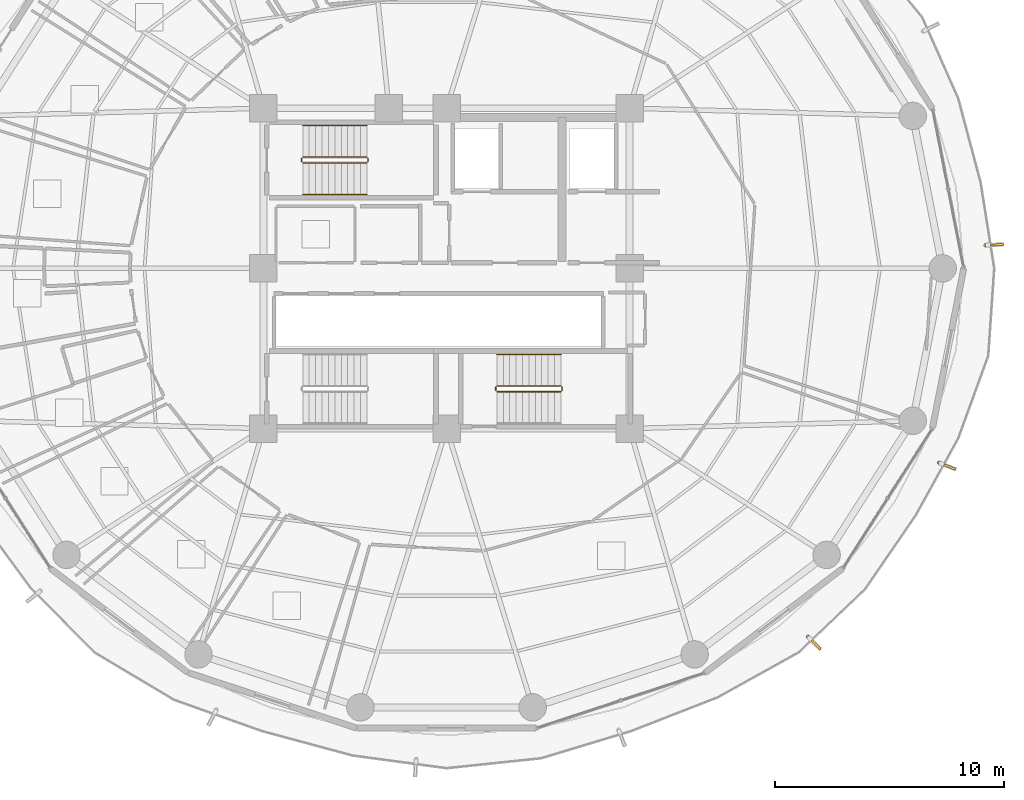
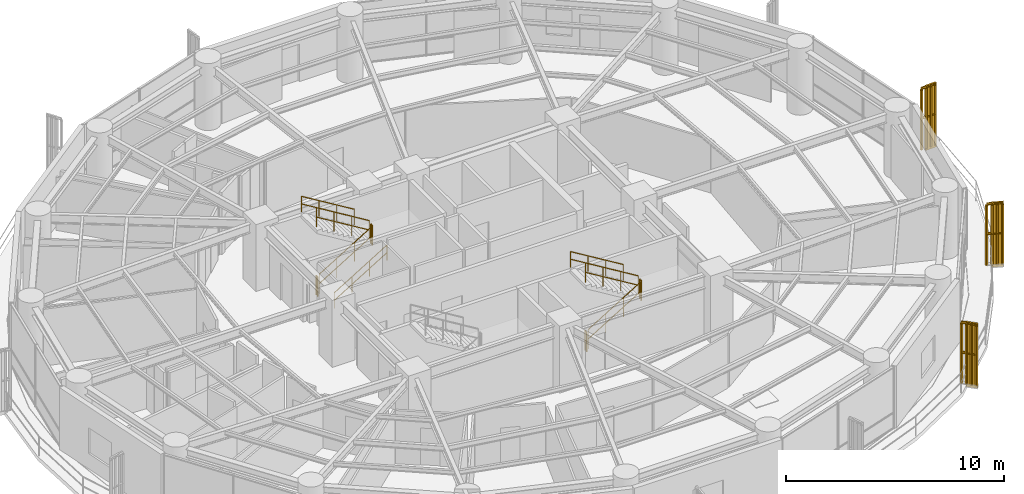
# One storey, part 27 of 28: 14 railings, 3 shading devices.
"""IFC4 building model written with IfcOpenShell, lengths in metres."""

from ifc_helpers import new_model, si_unit, direction, frame, origin, origin_2d, place, context, subcontext, project, spatial, polyline, rectangle, outline, extrude, source, transform, mapped, material, type_object, element, save


model = new_model("IFC4")

# Units and contexts
model_context = context("Model", 3, precision=1e-05, world=origin(), true_north=direction((0.0, 1.0)))
body_context = subcontext(model_context, "Body", "Model", "MODEL_VIEW")
ifc_project = project(units=[si_unit("LENGTHUNIT", "METRE"), si_unit("AREAUNIT", "SQUARE_METRE"), si_unit("VOLUMEUNIT", "CUBIC_METRE"), si_unit("PLANEANGLEUNIT", "RADIAN"), si_unit("MASSUNIT", "GRAM", prefix="KILO")], contexts=[model_context])

# Site, building, storey
site_placement = place(None, origin())
site = spatial("IfcSite", under=ifc_project, at=site_placement, CompositionType="ELEMENT")
building_placement = place(site_placement, origin())
building = spatial("IfcBuilding", under=site, at=building_placement, Name="Kelanora Arch Commons", CompositionType="ELEMENT")
storey_placement = place(building_placement, frame((0.0, 0.0, 180.60009765625)))
storey = spatial("IfcBuildingStorey", under=building, at=storey_placement, Name="L46", CompositionType="ELEMENT", Elevation=180.60009765625)

# Railings
ifc_material_1 = material(Name="Anodised bronze vertical shading fin rib assembly")
railing_type_1 = type_object("IfcRailingType", Name="RAIL-FIN-BRZ", PredefinedType="BALUSTRADE", material=ifc_material_1)
railing_1_placement = place(storey_placement, frame((95.51904296875, 49.505126953125, -0.02001953125)))
element("IfcRailing", 1, at=railing_1_placement, inside=storey, type_object=railing_type_1, Name="Sweeping Bronze Vertical Fin Blade L46-00", PredefinedType="BALUSTRADE", context=body_context, shape_type="SweptSolid", body=[
    extrude(outline(polyline([(0.06982421875, 0.0), (0.034912109375, 0.060546875), (-0.034912109375, 0.060546875), (-0.06982421875, 0.0), (-0.034912109375, -0.060546875), (0.034912109375, -0.060546875), (0.06982421875, 0.0)])), frame((0.0, 0.0, 3.419921875), z_axis=(0.930215181895, -0.367014598309, 0.0), x_axis=(0.367014598309, 0.930215181895, 0.0)), (0.0, 0.0, 1.0), 0.731689453125),
    extrude(outline(polyline([(0.06982421875, 0.0), (0.034912109375, 0.060546875), (-0.034912109375, 0.060546875), (-0.06982421875, 0.0), (-0.034912109375, -0.060546875), (0.034912109375, -0.060546875), (0.06982421875, 0.0)])), frame((0.0, 0.0, 1.7451171875), z_axis=(0.930215181895, -0.367014598309, 0.0), x_axis=(0.367014598309, 0.930215181895, 0.0)), (0.0, 0.0, 1.0), 0.731689453125),
    extrude(outline(polyline([(0.080078125, 0.0), (0.0400390625, 0.0693359375), (-0.0400390625, 0.0693359375), (-0.080078125, 0.0), (-0.0400390625, -0.0693359375), (0.0400390625, -0.0693359375), (0.080078125, 0.0)])), origin(), (0.0, 0.0, 1.0), 3.35009765625),
    extrude(outline(polyline([(0.080078125, 0.0), (0.0400390625, 0.0693359375), (-0.0400390625, 0.0693359375), (-0.080078125, 0.0), (-0.0400390625, -0.0693359375), (0.0400390625, -0.0693359375), (0.080078125, 0.0)])), frame((0.226806640625, -0.089599609375, 0.0)), (0.0, 0.0, 1.0), 3.35009765625),
    extrude(outline(polyline([(0.080078125, 0.0), (0.0400390625, 0.0693359375), (-0.0400390625, 0.0693359375), (-0.080078125, 0.0), (-0.0400390625, -0.0693359375), (0.0400390625, -0.0693359375), (0.080078125, 0.0)])), frame((0.453857421875, -0.178955078125, 0.0)), (0.0, 0.0, 1.0), 3.35009765625),
    extrude(outline(polyline([(0.080078125, 0.0), (0.0400390625, 0.0693359375), (-0.0400390625, 0.0693359375), (-0.080078125, 0.0), (-0.0400390625, -0.0693359375), (0.0400390625, -0.0693359375), (0.080078125, 0.0)])), frame((0.6806640625, -0.2685546875, 0.0)), (0.0, 0.0, 1.0), 3.35009765625),
])
railing_2_placement = place(storey_placement, frame((97.549072265625, 59.010986328125, -0.02001953125)))
element("IfcRailing", 2, at=railing_2_placement, inside=storey, type_object=railing_type_1, Name="Sweeping Bronze Vertical Fin Blade L46-01", PredefinedType="BALUSTRADE", context=body_context, shape_type="SweptSolid", body=[
    extrude(outline(polyline([(0.06982421875, 0.0), (0.034912109375, 0.060546875), (-0.034912109375, 0.060546875), (-0.06982421875, 0.0), (-0.034912109375, -0.060546875), (0.034912109375, -0.060546875), (0.06982421875, 0.0)])), frame((0.0, 0.0, 3.419921875), z_axis=(0.999087985277, 0.042698918903, 0.0), x_axis=(-0.042698918903, 0.999087985277, 0.0)), (0.0, 0.0, 1.0), 0.73193359375),
    extrude(outline(polyline([(0.06982421875, 0.0), (0.034912109375, 0.060546875), (-0.034912109375, 0.060546875), (-0.06982421875, 0.0), (-0.034912109375, -0.060546875), (0.034912109375, -0.060546875), (0.06982421875, 0.0)])), frame((0.0, 0.0, 1.7451171875), z_axis=(0.999087985277, 0.042698918903, 0.0), x_axis=(-0.042698918903, 0.999087985277, 0.0)), (0.0, 0.0, 1.0), 0.73193359375),
    extrude(outline(polyline([(0.080078125, 0.0), (0.0400390625, 0.0693359375), (-0.0400390625, 0.0693359375), (-0.080078125, 0.0), (-0.0400390625, -0.0693359375), (0.0400390625, -0.0693359375), (0.080078125, 0.0)])), origin(), (0.0, 0.0, 1.0), 3.35009765625),
    extrude(outline(polyline([(0.080078125, 0.0), (0.0400390625, 0.0693359375), (-0.0400390625, 0.0693359375), (-0.080078125, 0.0), (-0.0400390625, -0.0693359375), (0.0400390625, -0.0693359375), (0.080078125, 0.0)])), frame((0.24365234375, 0.010498046875, 0.0)), (0.0, 0.0, 1.0), 3.35009765625),
    extrude(outline(polyline([(0.080078125, 0.0), (0.0400390625, 0.0693359375), (-0.0400390625, 0.0693359375), (-0.080078125, 0.0), (-0.0400390625, -0.0693359375), (0.0400390625, -0.0693359375), (0.080078125, 0.0)])), frame((0.487548828125, 0.020751953125, 0.0)), (0.0, 0.0, 1.0), 3.35009765625),
    extrude(outline(polyline([(0.080078125, 0.0), (0.0400390625, 0.0693359375), (-0.0400390625, 0.0693359375), (-0.080078125, 0.0), (-0.0400390625, -0.0693359375), (0.0400390625, -0.0693359375), (0.080078125, 0.0)])), frame((0.731201171875, 0.03125, 0.0)), (0.0, 0.0, 1.0), 3.35009765625),
])
railing_3_placement = place(storey_placement, frame((89.791015625, 41.907470703125, -0.02001953125)))
element("IfcRailing", 3, at=railing_3_placement, inside=storey, type_object=railing_type_1, Name="Sweeping Bronze Vertical Fin Blade L46-14", PredefinedType="BALUSTRADE", context=body_context, shape_type="SweptSolid", body=[
    extrude(outline(polyline([(0.06982421875, 0.0), (0.034912109375, 0.060546875), (-0.034912109375, 0.060546875), (-0.06982421875, 0.0), (-0.034912109375, -0.060546875), (0.034912109375, -0.060546875), (0.06982421875, 0.0)])), frame((0.0, 0.0, 3.419921875), z_axis=(0.700234826511, -0.713912591107, 0.0), x_axis=(0.713912591107, 0.700234826511, 0.0)), (0.0, 0.0, 1.0), 0.73193359375),
    extrude(outline(polyline([(0.06982421875, 0.0), (0.034912109375, 0.060546875), (-0.034912109375, 0.060546875), (-0.06982421875, 0.0), (-0.034912109375, -0.060546875), (0.034912109375, -0.060546875), (0.06982421875, 0.0)])), frame((0.0, 0.0, 1.7451171875), z_axis=(0.700234826511, -0.713912591107, 0.0), x_axis=(0.713912591107, 0.700234826511, 0.0)), (0.0, 0.0, 1.0), 0.73193359375),
    extrude(outline(polyline([(0.080078125, 0.0), (0.0400390625, 0.0693359375), (-0.0400390625, 0.0693359375), (-0.080078125, 0.0), (-0.0400390625, -0.0693359375), (0.0400390625, -0.0693359375), (0.080078125, 0.0)])), origin(), (0.0, 0.0, 1.0), 3.35009765625),
    extrude(outline(polyline([(0.080078125, 0.0), (0.0400390625, 0.0693359375), (-0.0400390625, 0.0693359375), (-0.080078125, 0.0), (-0.0400390625, -0.0693359375), (0.0400390625, -0.0693359375), (0.080078125, 0.0)])), frame((0.1708984375, -0.174072265625, 0.0)), (0.0, 0.0, 1.0), 3.35009765625),
    extrude(outline(polyline([(0.080078125, 0.0), (0.0400390625, 0.0693359375), (-0.0400390625, 0.0693359375), (-0.080078125, 0.0), (-0.0400390625, -0.0693359375), (0.0400390625, -0.0693359375), (0.080078125, 0.0)])), frame((0.341552734375, -0.348388671875, 0.0)), (0.0, 0.0, 1.0), 3.35009765625),
    extrude(outline(polyline([(0.080078125, 0.0), (0.0400390625, 0.0693359375), (-0.0400390625, 0.0693359375), (-0.080078125, 0.0), (-0.0400390625, -0.0693359375), (0.0400390625, -0.0693359375), (0.080078125, 0.0)])), frame((0.512451171875, -0.5224609375, 0.0)), (0.0, 0.0, 1.0), 3.35009765625),
])
ifc_material_2 = material(Name="Painted steel stair well guard", Category="steel")
railing_type_2 = type_object("IfcRailingType", Name="RAIL-STAIR-GRD", PredefinedType="GUARDRAIL", material=ifc_material_2)
railing_4_placement = place(storey_placement, frame((67.719970703125, 62.610107421875, 0.17041015625)))
element("IfcRailing", 4, at=railing_4_placement, inside=storey, type_object=railing_type_2, Name="L46 ST-T1 stair guard 1", PredefinedType="GUARDRAIL", context=body_context, shape_type="SweptSolid", body=[
    extrude(outline(polyline([(0.02392578125, 0.0), (0.011962890625, 0.020751953125), (-0.011962890625, 0.020751953125), (-0.02392578125, 0.0), (-0.011962890625, -0.020751953125), (0.011962890625, -0.020751953125), (0.02392578125, 0.0)])), frame((0.0, 0.0, 1.076171875), z_axis=(0.854169791009, 0.0, 0.51999420009), x_axis=(0.0, 1.0, 0.0)), (0.0, 0.0, 1.0), 3.278076171875),
    extrude(outline(polyline([(0.02392578125, 0.0), (0.011962890625, 0.020751953125), (-0.011962890625, 0.020751953125), (-0.02392578125, 0.0), (-0.011962890625, -0.020751953125), (0.011962890625, -0.020751953125), (0.02392578125, 0.0)])), frame((0.0, 0.0, 0.550048828125), z_axis=(0.854169791009, 0.0, 0.51999420009), x_axis=(0.0, 1.0, 0.0)), (0.0, 0.0, 1.0), 3.278076171875),
    extrude(outline(polyline([(0.02099609375, 0.0), (0.010498046875, 0.01806640625), (-0.010498046875, 0.01806640625), (-0.02099609375, 0.0), (-0.010498046875, -0.01806640625), (0.010498046875, -0.01806640625), (0.02099609375, 0.0)])), origin(), (0.0, 0.0, 1.0), 1.052001953125),
    extrude(outline(polyline([(0.02099609375, 0.0), (0.010498046875, 0.01806640625), (-0.010498046875, 0.01806640625), (-0.02099609375, 0.0), (-0.010498046875, -0.01806640625), (0.010498046875, -0.01806640625), (0.02099609375, 0.0)])), frame((0.933349609375, 0.0, 0.568115234375)), (0.0, 0.0, 1.0), 1.052001953125),
    extrude(outline(polyline([(0.02099609375, 0.0), (0.010498046875, 0.01806640625), (-0.010498046875, 0.01806640625), (-0.02099609375, 0.0), (-0.010498046875, -0.01806640625), (0.010498046875, -0.01806640625), (0.02099609375, 0.0)])), frame((1.86669921875, 0.0, 1.136474609375)), (0.0, 0.0, 1.0), 1.052001953125),
    extrude(outline(polyline([(0.02099609375, 0.0), (0.010498046875, 0.01806640625), (-0.010498046875, 0.01806640625), (-0.02099609375, 0.0), (-0.010498046875, -0.01806640625), (0.010498046875, -0.01806640625), (0.02099609375, 0.0)])), frame((2.800048828125, 0.0, 1.70458984375)), (0.0, 0.0, 1.0), 1.052001953125),
])
railing_5_placement = place(storey_placement, frame((70.570068359375, 62.659912109375, 1.875)))
element("IfcRailing", 5, at=railing_5_placement, inside=storey, type_object=railing_type_2, Name="L46 ST-T1 stair guard 2", PredefinedType="GUARDRAIL", context=body_context, shape_type="SweptSolid", body=[
    extrude(outline(polyline([(0.02392578125, 0.0), (0.011962890625, 0.020751953125), (-0.011962890625, 0.020751953125), (-0.02392578125, 0.0), (-0.011962890625, -0.020751953125), (0.011962890625, -0.020751953125), (0.02392578125, 0.0)])), frame((0.0, 0.0, 1.076171875), z_axis=(0.0, 1.0, 0.0), x_axis=(-1.0, 0.0, 0.0)), (0.0, 0.0, 1.0), 0.150146484375),
    extrude(outline(polyline([(0.02392578125, 0.0), (0.011962890625, 0.020751953125), (-0.011962890625, 0.020751953125), (-0.02392578125, 0.0), (-0.011962890625, -0.020751953125), (0.011962890625, -0.020751953125), (0.02392578125, 0.0)])), frame((0.0, 0.0, 0.550048828125), z_axis=(0.0, 1.0, 0.0), x_axis=(-1.0, 0.0, 0.0)), (0.0, 0.0, 1.0), 0.150146484375),
    extrude(outline(polyline([(0.02099609375, 0.0), (0.010498046875, 0.01806640625), (-0.010498046875, 0.01806640625), (-0.02099609375, 0.0), (-0.010498046875, -0.01806640625), (0.010498046875, -0.01806640625), (0.02099609375, 0.0)])), origin(), (0.0, 0.0, 1.0), 1.052001953125),
    extrude(outline(polyline([(0.02099609375, 0.0), (0.010498046875, 0.01806640625), (-0.010498046875, 0.01806640625), (-0.02099609375, 0.0), (-0.010498046875, -0.01806640625), (0.010498046875, -0.01806640625), (0.02099609375, 0.0)])), frame((0.0, 0.150146484375, 0.0)), (0.0, 0.0, 1.0), 1.052001953125),
])
railing_6_placement = place(storey_placement, frame((70.52001953125, 62.860107421875, 2.04541015625)))
element("IfcRailing", 6, at=railing_6_placement, inside=storey, type_object=railing_type_2, Name="L46 ST-T1 stair guard 3", PredefinedType="GUARDRAIL", context=body_context, shape_type="SweptSolid", body=[
    extrude(outline(polyline([(0.02392578125, 0.0), (0.011962890625, 0.020751953125), (-0.011962890625, 0.020751953125), (-0.02392578125, 0.0), (-0.011962890625, -0.020751953125), (0.011962890625, -0.020751953125), (0.02392578125, 0.0)])), frame((0.0, 0.0, 1.076171875), z_axis=(-0.854169791009, 0.0, 0.51999420009), x_axis=(0.0, -1.0, 0.0)), (0.0, 0.0, 1.0), 3.278076171875),
    extrude(outline(polyline([(0.02392578125, 0.0), (0.011962890625, 0.020751953125), (-0.011962890625, 0.020751953125), (-0.02392578125, 0.0), (-0.011962890625, -0.020751953125), (0.011962890625, -0.020751953125), (0.02392578125, 0.0)])), frame((0.0, 0.0, 0.550048828125), z_axis=(-0.854169791009, 0.0, 0.51999420009), x_axis=(0.0, -1.0, 0.0)), (0.0, 0.0, 1.0), 3.278076171875),
    extrude(outline(polyline([(0.02099609375, 0.0), (0.010498046875, 0.01806640625), (-0.010498046875, 0.01806640625), (-0.02099609375, 0.0), (-0.010498046875, -0.01806640625), (0.010498046875, -0.01806640625), (0.02099609375, 0.0)])), origin(), (0.0, 0.0, 1.0), 1.052001953125),
    extrude(outline(polyline([(0.02099609375, 0.0), (0.010498046875, 0.01806640625), (-0.010498046875, 0.01806640625), (-0.02099609375, 0.0), (-0.010498046875, -0.01806640625), (0.010498046875, -0.01806640625), (0.02099609375, 0.0)])), frame((-0.933349609375, 0.0, 0.568115234375)), (0.0, 0.0, 1.0), 1.052001953125),
    extrude(outline(polyline([(0.02099609375, 0.0), (0.010498046875, 0.01806640625), (-0.010498046875, 0.01806640625), (-0.02099609375, 0.0), (-0.010498046875, -0.01806640625), (0.010498046875, -0.01806640625), (0.02099609375, 0.0)])), frame((-1.86669921875, 0.0, 1.136474609375)), (0.0, 0.0, 1.0), 1.052001953125),
    extrude(outline(polyline([(0.02099609375, 0.0), (0.010498046875, 0.01806640625), (-0.010498046875, 0.01806640625), (-0.02099609375, 0.0), (-0.010498046875, -0.01806640625), (0.010498046875, -0.01806640625), (0.02099609375, 0.0)])), frame((-2.800048828125, 0.0, 1.70458984375)), (0.0, 0.0, 1.0), 1.052001953125),
])
railing_7_placement = place(storey_placement, frame((67.669921875, 62.659912109375, 0.0)))
element("IfcRailing", 7, at=railing_7_placement, inside=storey, type_object=railing_type_2, Name="L46 ST-T1 stair guard 4", PredefinedType="GUARDRAIL", context=body_context, shape_type="SweptSolid", body=[
    extrude(outline(polyline([(0.02392578125, 0.0), (0.011962890625, 0.020751953125), (-0.011962890625, 0.020751953125), (-0.02392578125, 0.0), (-0.011962890625, -0.020751953125), (0.011962890625, -0.020751953125), (0.02392578125, 0.0)])), frame((0.0, 0.0, 1.076171875), z_axis=(0.0, 1.0, 0.0), x_axis=(-1.0, 0.0, 0.0)), (0.0, 0.0, 1.0), 0.150146484375),
    extrude(outline(polyline([(0.02392578125, 0.0), (0.011962890625, 0.020751953125), (-0.011962890625, 0.020751953125), (-0.02392578125, 0.0), (-0.011962890625, -0.020751953125), (0.011962890625, -0.020751953125), (0.02392578125, 0.0)])), frame((0.0, 0.0, 0.550048828125), z_axis=(0.0, 1.0, 0.0), x_axis=(-1.0, 0.0, 0.0)), (0.0, 0.0, 1.0), 0.150146484375),
    extrude(outline(polyline([(0.02099609375, 0.0), (0.010498046875, 0.01806640625), (-0.010498046875, 0.01806640625), (-0.02099609375, 0.0), (-0.010498046875, -0.01806640625), (0.010498046875, -0.01806640625), (0.02099609375, 0.0)])), origin(), (0.0, 0.0, 1.0), 1.052001953125),
    extrude(outline(polyline([(0.02099609375, 0.0), (0.010498046875, 0.01806640625), (-0.010498046875, 0.01806640625), (-0.02099609375, 0.0), (-0.010498046875, -0.01806640625), (0.010498046875, -0.01806640625), (0.02099609375, 0.0)])), frame((0.0, 0.150146484375, 0.0)), (0.0, 0.0, 1.0), 1.052001953125),
])
railing_8_placement = place(storey_placement, frame((76.199951171875, 52.610107421875, 0.17041015625)))
element("IfcRailing", 8, at=railing_8_placement, inside=storey, type_object=railing_type_2, Name="L46 ST-T2 stair guard 1", PredefinedType="GUARDRAIL", context=body_context, shape_type="SweptSolid", body=[
    extrude(outline(polyline([(0.02392578125, 0.0), (0.011962890625, 0.020751953125), (-0.011962890625, 0.020751953125), (-0.02392578125, 0.0), (-0.011962890625, -0.020751953125), (0.011962890625, -0.020751953125), (0.02392578125, 0.0)])), frame((0.0, 0.0, 1.076171875), z_axis=(0.854169791009, 0.0, 0.51999420009), x_axis=(0.0, 1.0, 0.0)), (0.0, 0.0, 1.0), 3.278076171875),
    extrude(outline(polyline([(0.02392578125, 0.0), (0.011962890625, 0.020751953125), (-0.011962890625, 0.020751953125), (-0.02392578125, 0.0), (-0.011962890625, -0.020751953125), (0.011962890625, -0.020751953125), (0.02392578125, 0.0)])), frame((0.0, 0.0, 0.550048828125), z_axis=(0.854169791009, 0.0, 0.51999420009), x_axis=(0.0, 1.0, 0.0)), (0.0, 0.0, 1.0), 3.278076171875),
    extrude(outline(polyline([(0.02099609375, 0.0), (0.010498046875, 0.01806640625), (-0.010498046875, 0.01806640625), (-0.02099609375, 0.0), (-0.010498046875, -0.01806640625), (0.010498046875, -0.01806640625), (0.02099609375, 0.0)])), origin(), (0.0, 0.0, 1.0), 1.052001953125),
    extrude(outline(polyline([(0.02099609375, 0.0), (0.010498046875, 0.01806640625), (-0.010498046875, 0.01806640625), (-0.02099609375, 0.0), (-0.010498046875, -0.01806640625), (0.010498046875, -0.01806640625), (0.02099609375, 0.0)])), frame((0.933349609375, 0.0, 0.568115234375)), (0.0, 0.0, 1.0), 1.052001953125),
    extrude(outline(polyline([(0.02099609375, 0.0), (0.010498046875, 0.01806640625), (-0.010498046875, 0.01806640625), (-0.02099609375, 0.0), (-0.010498046875, -0.01806640625), (0.010498046875, -0.01806640625), (0.02099609375, 0.0)])), frame((1.86669921875, 0.0, 1.136474609375)), (0.0, 0.0, 1.0), 1.052001953125),
    extrude(outline(polyline([(0.02099609375, 0.0), (0.010498046875, 0.01806640625), (-0.010498046875, 0.01806640625), (-0.02099609375, 0.0), (-0.010498046875, -0.01806640625), (0.010498046875, -0.01806640625), (0.02099609375, 0.0)])), frame((2.800048828125, 0.0, 1.70458984375)), (0.0, 0.0, 1.0), 1.052001953125),
])
railing_9_placement = place(storey_placement, frame((79.050048828125, 52.659912109375, 1.875)))
element("IfcRailing", 9, at=railing_9_placement, inside=storey, type_object=railing_type_2, Name="L46 ST-T2 stair guard 2", PredefinedType="GUARDRAIL", context=body_context, shape_type="SweptSolid", body=[
    extrude(outline(polyline([(0.02392578125, 0.0), (0.011962890625, 0.020751953125), (-0.011962890625, 0.020751953125), (-0.02392578125, 0.0), (-0.011962890625, -0.020751953125), (0.011962890625, -0.020751953125), (0.02392578125, 0.0)])), frame((0.0, 0.0, 1.076171875), z_axis=(0.0, 1.0, 0.0), x_axis=(-1.0, 0.0, 0.0)), (0.0, 0.0, 1.0), 0.150146484375),
    extrude(outline(polyline([(0.02392578125, 0.0), (0.011962890625, 0.020751953125), (-0.011962890625, 0.020751953125), (-0.02392578125, 0.0), (-0.011962890625, -0.020751953125), (0.011962890625, -0.020751953125), (0.02392578125, 0.0)])), frame((0.0, 0.0, 0.550048828125), z_axis=(0.0, 1.0, 0.0), x_axis=(-1.0, 0.0, 0.0)), (0.0, 0.0, 1.0), 0.150146484375),
    extrude(outline(polyline([(0.02099609375, 0.0), (0.010498046875, 0.01806640625), (-0.010498046875, 0.01806640625), (-0.02099609375, 0.0), (-0.010498046875, -0.01806640625), (0.010498046875, -0.01806640625), (0.02099609375, 0.0)])), origin(), (0.0, 0.0, 1.0), 1.052001953125),
    extrude(outline(polyline([(0.02099609375, 0.0), (0.010498046875, 0.01806640625), (-0.010498046875, 0.01806640625), (-0.02099609375, 0.0), (-0.010498046875, -0.01806640625), (0.010498046875, -0.01806640625), (0.02099609375, 0.0)])), frame((0.0, 0.150146484375, 0.0)), (0.0, 0.0, 1.0), 1.052001953125),
])
railing_10_placement = place(storey_placement, frame((79.0, 52.860107421875, 2.04541015625)))
element("IfcRailing", 10, at=railing_10_placement, inside=storey, type_object=railing_type_2, Name="L46 ST-T2 stair guard 3", PredefinedType="GUARDRAIL", context=body_context, shape_type="SweptSolid", body=[
    extrude(outline(polyline([(0.02392578125, 0.0), (0.011962890625, 0.020751953125), (-0.011962890625, 0.020751953125), (-0.02392578125, 0.0), (-0.011962890625, -0.020751953125), (0.011962890625, -0.020751953125), (0.02392578125, 0.0)])), frame((0.0, 0.0, 1.076171875), z_axis=(-0.854169791009, 0.0, 0.51999420009), x_axis=(0.0, -1.0, 0.0)), (0.0, 0.0, 1.0), 3.278076171875),
    extrude(outline(polyline([(0.02392578125, 0.0), (0.011962890625, 0.020751953125), (-0.011962890625, 0.020751953125), (-0.02392578125, 0.0), (-0.011962890625, -0.020751953125), (0.011962890625, -0.020751953125), (0.02392578125, 0.0)])), frame((0.0, 0.0, 0.550048828125), z_axis=(-0.854169791009, 0.0, 0.51999420009), x_axis=(0.0, -1.0, 0.0)), (0.0, 0.0, 1.0), 3.278076171875),
    extrude(outline(polyline([(0.02099609375, 0.0), (0.010498046875, 0.01806640625), (-0.010498046875, 0.01806640625), (-0.02099609375, 0.0), (-0.010498046875, -0.01806640625), (0.010498046875, -0.01806640625), (0.02099609375, 0.0)])), origin(), (0.0, 0.0, 1.0), 1.052001953125),
    extrude(outline(polyline([(0.02099609375, 0.0), (0.010498046875, 0.01806640625), (-0.010498046875, 0.01806640625), (-0.02099609375, 0.0), (-0.010498046875, -0.01806640625), (0.010498046875, -0.01806640625), (0.02099609375, 0.0)])), frame((-0.933349609375, 0.0, 0.568115234375)), (0.0, 0.0, 1.0), 1.052001953125),
    extrude(outline(polyline([(0.02099609375, 0.0), (0.010498046875, 0.01806640625), (-0.010498046875, 0.01806640625), (-0.02099609375, 0.0), (-0.010498046875, -0.01806640625), (0.010498046875, -0.01806640625), (0.02099609375, 0.0)])), frame((-1.86669921875, 0.0, 1.136474609375)), (0.0, 0.0, 1.0), 1.052001953125),
    extrude(outline(polyline([(0.02099609375, 0.0), (0.010498046875, 0.01806640625), (-0.010498046875, 0.01806640625), (-0.02099609375, 0.0), (-0.010498046875, -0.01806640625), (0.010498046875, -0.01806640625), (0.02099609375, 0.0)])), frame((-2.800048828125, 0.0, 1.70458984375)), (0.0, 0.0, 1.0), 1.052001953125),
])
railing_11_placement = place(storey_placement, frame((76.14990234375, 52.659912109375, 0.0)))
element("IfcRailing", 11, at=railing_11_placement, inside=storey, type_object=railing_type_2, Name="L46 ST-T2 stair guard 4", PredefinedType="GUARDRAIL", context=body_context, shape_type="SweptSolid", body=[
    extrude(outline(polyline([(0.02392578125, 0.0), (0.011962890625, 0.020751953125), (-0.011962890625, 0.020751953125), (-0.02392578125, 0.0), (-0.011962890625, -0.020751953125), (0.011962890625, -0.020751953125), (0.02392578125, 0.0)])), frame((0.0, 0.0, 1.076171875), z_axis=(0.0, 1.0, 0.0), x_axis=(-1.0, 0.0, 0.0)), (0.0, 0.0, 1.0), 0.150146484375),
    extrude(outline(polyline([(0.02392578125, 0.0), (0.011962890625, 0.020751953125), (-0.011962890625, 0.020751953125), (-0.02392578125, 0.0), (-0.011962890625, -0.020751953125), (0.011962890625, -0.020751953125), (0.02392578125, 0.0)])), frame((0.0, 0.0, 0.550048828125), z_axis=(0.0, 1.0, 0.0), x_axis=(-1.0, 0.0, 0.0)), (0.0, 0.0, 1.0), 0.150146484375),
    extrude(outline(polyline([(0.02099609375, 0.0), (0.010498046875, 0.01806640625), (-0.010498046875, 0.01806640625), (-0.02099609375, 0.0), (-0.010498046875, -0.01806640625), (0.010498046875, -0.01806640625), (0.02099609375, 0.0)])), origin(), (0.0, 0.0, 1.0), 1.052001953125),
    extrude(outline(polyline([(0.02099609375, 0.0), (0.010498046875, 0.01806640625), (-0.010498046875, 0.01806640625), (-0.02099609375, 0.0), (-0.010498046875, -0.01806640625), (0.010498046875, -0.01806640625), (0.02099609375, 0.0)])), frame((0.0, 0.150146484375, 0.0)), (0.0, 0.0, 1.0), 1.052001953125),
])
ifc_material_3 = material(Name="Brushed stainless steel stair handrail", Category="steel")
railing_type_3 = type_object("IfcRailingType", Name="RAIL-STAIR-HND", PredefinedType="HANDRAIL", material=ifc_material_3)
railing_12_placement = place(storey_placement, frame((67.719970703125, 61.22998046875, 0.17041015625)))
element("IfcRailing", 12, at=railing_12_placement, inside=storey, type_object=railing_type_3, Name="L46 ST-T1 stair handrail 1", PredefinedType="HANDRAIL", context=body_context, shape_type="SweptSolid", body=[
    extrude(outline(polyline([(0.02392578125, 0.0), (0.011962890625, 0.020751953125), (-0.011962890625, 0.020751953125), (-0.02392578125, 0.0), (-0.011962890625, -0.020751953125), (0.011962890625, -0.020751953125), (0.02392578125, 0.0)])), frame((0.0, 0.0, 0.8759765625), z_axis=(0.854169791009, 0.0, 0.51999420009), x_axis=(0.0, 1.0, 0.0)), (0.0, 0.0, 1.0), 3.278076171875),
    extrude(outline(polyline([(0.02392578125, 0.0), (0.011962890625, 0.020751953125), (-0.011962890625, 0.020751953125), (-0.02392578125, 0.0), (-0.011962890625, -0.020751953125), (0.011962890625, -0.020751953125), (0.02392578125, 0.0)])), frame((0.0, 0.0, 0.449951171875), z_axis=(0.854169791009, 0.0, 0.51999420009), x_axis=(0.0, 1.0, 0.0)), (0.0, 0.0, 1.0), 3.278076171875),
    extrude(outline(polyline([(0.02099609375, 0.0), (0.010498046875, 0.01806640625), (-0.010498046875, 0.01806640625), (-0.02099609375, 0.0), (-0.010498046875, -0.01806640625), (0.010498046875, -0.01806640625), (0.02099609375, 0.0)])), origin(), (0.0, 0.0, 1.0), 0.851806640625),
    extrude(outline(polyline([(0.02099609375, 0.0), (0.010498046875, 0.01806640625), (-0.010498046875, 0.01806640625), (-0.02099609375, 0.0), (-0.010498046875, -0.01806640625), (0.010498046875, -0.01806640625), (0.02099609375, 0.0)])), frame((0.933349609375, 0.0, 0.568115234375)), (0.0, 0.0, 1.0), 0.851806640625),
    extrude(outline(polyline([(0.02099609375, 0.0), (0.010498046875, 0.01806640625), (-0.010498046875, 0.01806640625), (-0.02099609375, 0.0), (-0.010498046875, -0.01806640625), (0.010498046875, -0.01806640625), (0.02099609375, 0.0)])), frame((1.86669921875, 0.0, 1.136474609375)), (0.0, 0.0, 1.0), 0.851806640625),
    extrude(outline(polyline([(0.02099609375, 0.0), (0.010498046875, 0.01806640625), (-0.010498046875, 0.01806640625), (-0.02099609375, 0.0), (-0.010498046875, -0.01806640625), (0.010498046875, -0.01806640625), (0.02099609375, 0.0)])), frame((2.800048828125, 0.0, 1.70458984375)), (0.0, 0.0, 1.0), 0.851806640625),
])
railing_13_placement = place(storey_placement, frame((70.52001953125, 64.239990234375, 2.04541015625)))
element("IfcRailing", 13, at=railing_13_placement, inside=storey, type_object=railing_type_3, Name="L46 ST-T1 stair handrail 2", PredefinedType="HANDRAIL", context=body_context, shape_type="SweptSolid", body=[
    extrude(outline(polyline([(0.02392578125, 0.0), (0.011962890625, 0.020751953125), (-0.011962890625, 0.020751953125), (-0.02392578125, 0.0), (-0.011962890625, -0.020751953125), (0.011962890625, -0.020751953125), (0.02392578125, 0.0)])), frame((0.0, 0.0, 0.8759765625), z_axis=(-0.854169791009, 0.0, 0.51999420009), x_axis=(0.0, -1.0, 0.0)), (0.0, 0.0, 1.0), 3.278076171875),
    extrude(outline(polyline([(0.02392578125, 0.0), (0.011962890625, 0.020751953125), (-0.011962890625, 0.020751953125), (-0.02392578125, 0.0), (-0.011962890625, -0.020751953125), (0.011962890625, -0.020751953125), (0.02392578125, 0.0)])), frame((0.0, 0.0, 0.449951171875), z_axis=(-0.854169791009, 0.0, 0.51999420009), x_axis=(0.0, -1.0, 0.0)), (0.0, 0.0, 1.0), 3.278076171875),
    extrude(outline(polyline([(0.02099609375, 0.0), (0.010498046875, 0.01806640625), (-0.010498046875, 0.01806640625), (-0.02099609375, 0.0), (-0.010498046875, -0.01806640625), (0.010498046875, -0.01806640625), (0.02099609375, 0.0)])), origin(), (0.0, 0.0, 1.0), 0.851806640625),
    extrude(outline(polyline([(0.02099609375, 0.0), (0.010498046875, 0.01806640625), (-0.010498046875, 0.01806640625), (-0.02099609375, 0.0), (-0.010498046875, -0.01806640625), (0.010498046875, -0.01806640625), (0.02099609375, 0.0)])), frame((-0.933349609375, 0.0, 0.568115234375)), (0.0, 0.0, 1.0), 0.851806640625),
    extrude(outline(polyline([(0.02099609375, 0.0), (0.010498046875, 0.01806640625), (-0.010498046875, 0.01806640625), (-0.02099609375, 0.0), (-0.010498046875, -0.01806640625), (0.010498046875, -0.01806640625), (0.02099609375, 0.0)])), frame((-1.86669921875, 0.0, 1.136474609375)), (0.0, 0.0, 1.0), 0.851806640625),
    extrude(outline(polyline([(0.02099609375, 0.0), (0.010498046875, 0.01806640625), (-0.010498046875, 0.01806640625), (-0.02099609375, 0.0), (-0.010498046875, -0.01806640625), (0.010498046875, -0.01806640625), (0.02099609375, 0.0)])), frame((-2.800048828125, 0.0, 1.70458984375)), (0.0, 0.0, 1.0), 0.851806640625),
])
railing_14_placement = place(storey_placement, frame((79.0, 54.239990234375, 2.04541015625)))
element("IfcRailing", 14, at=railing_14_placement, inside=storey, type_object=railing_type_3, Name="L46 ST-T2 stair handrail 2", PredefinedType="HANDRAIL", context=body_context, shape_type="SweptSolid", body=[
    extrude(outline(polyline([(0.02392578125, 0.0), (0.011962890625, 0.020751953125), (-0.011962890625, 0.020751953125), (-0.02392578125, 0.0), (-0.011962890625, -0.020751953125), (0.011962890625, -0.020751953125), (0.02392578125, 0.0)])), frame((0.0, 0.0, 0.8759765625), z_axis=(-0.854169791009, 0.0, 0.51999420009), x_axis=(0.0, -1.0, 0.0)), (0.0, 0.0, 1.0), 3.278076171875),
    extrude(outline(polyline([(0.02392578125, 0.0), (0.011962890625, 0.020751953125), (-0.011962890625, 0.020751953125), (-0.02392578125, 0.0), (-0.011962890625, -0.020751953125), (0.011962890625, -0.020751953125), (0.02392578125, 0.0)])), frame((0.0, 0.0, 0.449951171875), z_axis=(-0.854169791009, 0.0, 0.51999420009), x_axis=(0.0, -1.0, 0.0)), (0.0, 0.0, 1.0), 3.278076171875),
    extrude(outline(polyline([(0.02099609375, 0.0), (0.010498046875, 0.01806640625), (-0.010498046875, 0.01806640625), (-0.02099609375, 0.0), (-0.010498046875, -0.01806640625), (0.010498046875, -0.01806640625), (0.02099609375, 0.0)])), origin(), (0.0, 0.0, 1.0), 0.851806640625),
    extrude(outline(polyline([(0.02099609375, 0.0), (0.010498046875, 0.01806640625), (-0.010498046875, 0.01806640625), (-0.02099609375, 0.0), (-0.010498046875, -0.01806640625), (0.010498046875, -0.01806640625), (0.02099609375, 0.0)])), frame((-0.933349609375, 0.0, 0.568115234375)), (0.0, 0.0, 1.0), 0.851806640625),
    extrude(outline(polyline([(0.02099609375, 0.0), (0.010498046875, 0.01806640625), (-0.010498046875, 0.01806640625), (-0.02099609375, 0.0), (-0.010498046875, -0.01806640625), (0.010498046875, -0.01806640625), (0.02099609375, 0.0)])), frame((-1.86669921875, 0.0, 1.136474609375)), (0.0, 0.0, 1.0), 0.851806640625),
    extrude(outline(polyline([(0.02099609375, 0.0), (0.010498046875, 0.01806640625), (-0.010498046875, 0.01806640625), (-0.02099609375, 0.0), (-0.010498046875, -0.01806640625), (0.010498046875, -0.01806640625), (0.02099609375, 0.0)])), frame((-2.800048828125, 0.0, 1.70458984375)), (0.0, 0.0, 1.0), 0.851806640625),
])

# Shading devices
ifc_material_4 = material(Name="Terracotta ceramic-clad extruded aluminium fin", Category="masonry")
shading_device_type = type_object("IfcShadingDeviceType", Name="SHD-FIN-WAIST", PredefinedType="USERDEFINED", material=ifc_material_4)
shared_shape = source(origin(), body_context, "Body", "SweptSolid", [
    extrude(rectangle(XDim=0.56005859375, YDim=0.090087890625, at=origin_2d()), origin(), (0.0, 0.0, 1.0), 3.610107421875),
])
for number, where, z_axis, x_axis, name in (
    (15, (95.989501953125, 49.319580078125, -0.14013671875), (0.0, 0.0, 1.0), (0.930161475141, -0.367150691357, 0.0), "Sweeping Terracotta Fin L46-00"),
    (16, (98.054443359375, 59.03271484375, -0.14013671875), (0.0, 0.0, 1.0), (0.999078430194, 0.042921909558, 0.0), "Sweeping Terracotta Fin L46-01"),
    (17, (90.145263671875, 41.54638671875, -0.14013671875), (0.0, 0.0, 1.0), (0.700411150784, -0.713739602276, 0.0), "Sweeping Terracotta Fin L46-14"),
):
    element("IfcShadingDevice", number, at=place(storey_placement, frame(where, z_axis=z_axis, x_axis=x_axis)), inside=storey, type_object=shading_device_type, Name=name, ObjectType="FIN", PredefinedType="USERDEFINED", context=body_context, shape_type="MappedRepresentation", body=[
        mapped(shared_shape, transform((0.0, 0.0, 0.0), scale=1.0)),
    ])

save(model, "model.ifc")
